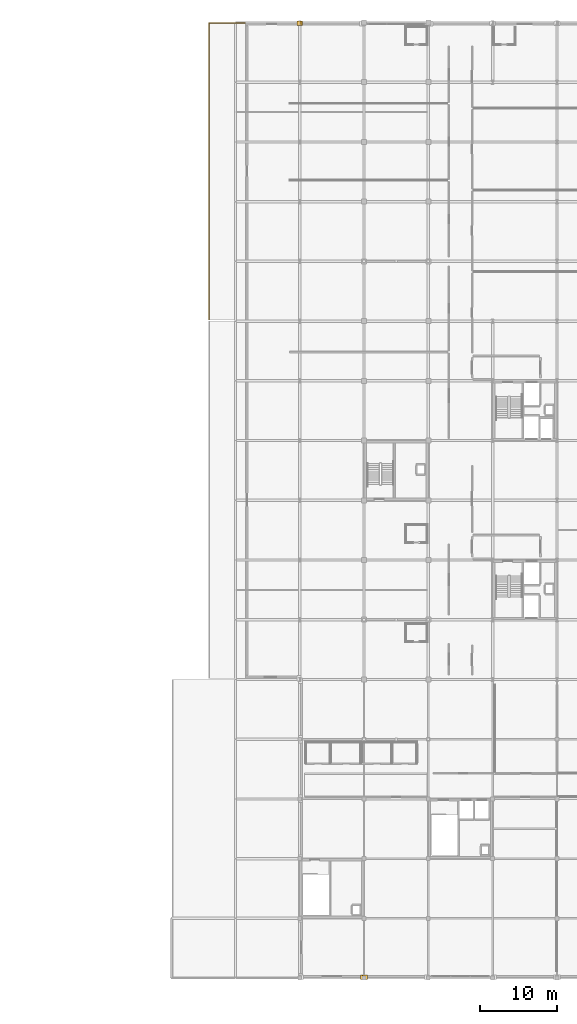
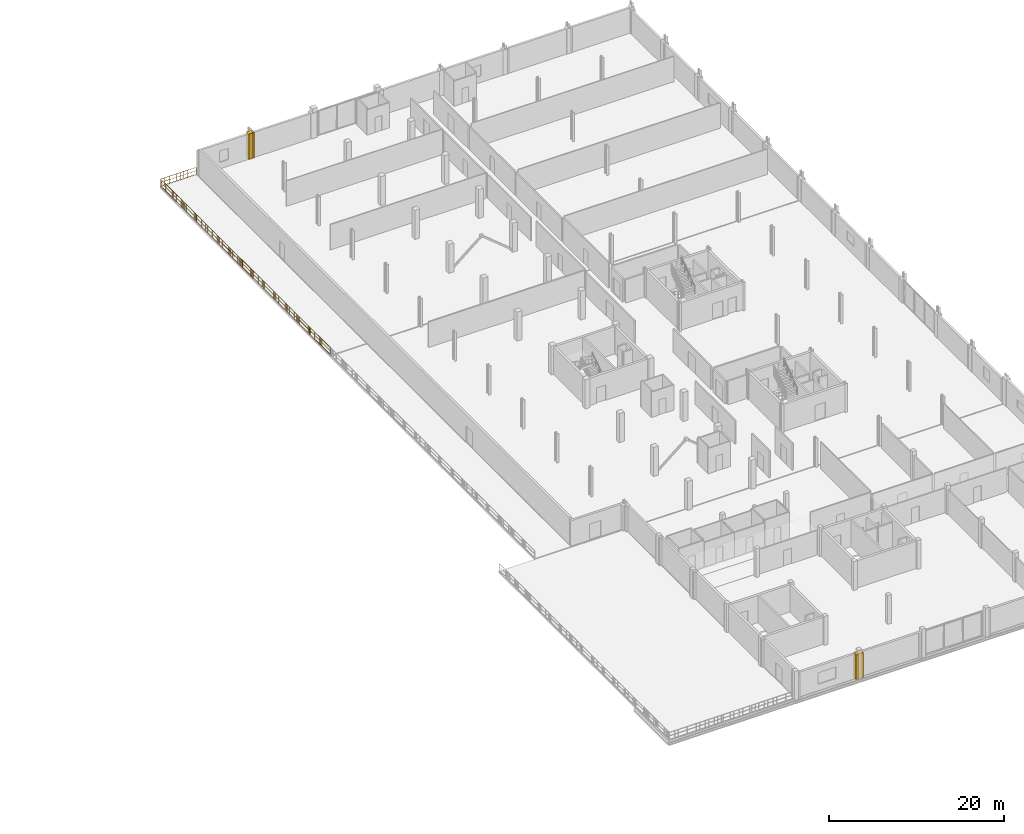
# One storey, part 37 of 41: 4 coverings, 2 railings.
"""IFC4 building model written with IfcOpenShell, lengths in metres."""

from ifc_helpers import new_model, si_unit, direction, frame, origin, origin_2d, place, context, subcontext, project, spatial, polyline, circle, outline, extrude, material, layer, layer_set, type_object, element, save


model = new_model("IFC4")

# Units and contexts
model_context = context("Model", 3, precision=1e-05, world=origin(), true_north=direction((0.0, 1.0)))
body_context = subcontext(model_context, "Body", "Model", "MODEL_VIEW")
ifc_project = project(units=[si_unit("LENGTHUNIT", "METRE"), si_unit("AREAUNIT", "SQUARE_METRE"), si_unit("VOLUMEUNIT", "CUBIC_METRE"), si_unit("PLANEANGLEUNIT", "RADIAN"), si_unit("MASSUNIT", "GRAM", prefix="KILO")], contexts=[model_context])

# Site, building, storey
site_placement = place(None, origin())
site = spatial("IfcSite", under=ifc_project, at=site_placement, CompositionType="ELEMENT")
building_placement = place(site_placement, origin())
building = spatial("IfcBuilding", under=site, at=building_placement, Name="Nabrawat Pavilion Hospital", CompositionType="ELEMENT")
storey_placement = place(building_placement, frame((0.0, 0.0, 18.89990234375)))
storey = spatial("IfcBuildingStorey", under=building, at=storey_placement, Name="L04", CompositionType="ELEMENT", Elevation=18.89990234375)

# Coverings
ifc_material_1 = material(Name="Precast concrete C40/50", Category="concrete")
ifc_layer_1 = layer(ifc_material_1, 0.360107421875, Name="Precast concrete C40/50")
ifc_layer_set_1 = layer_set([ifc_layer_1], Name="Precast concrete C40/50")
covering_type = type_object("IfcCoveringType", Name="Architectural Precast Column-Jamb Closure Reveal", PredefinedType="CLADDING", material=ifc_layer_set_1)
covering_1_placement = place(storey_placement, origin())
element("IfcCovering", 1, at=covering_1_placement, inside=storey, type_object=covering_type, Name="L04 Precast Facade Column-Jamb Weatherseal Closure 0526", PredefinedType="CLADDING", context=body_context, shape_type="SweptSolid", body=[
    extrude(outline(polyline([(142.97998046875, 124.39990234375), (142.97998046875, 124.97998046875), (142.419921875, 124.97998046875), (142.419921875, 124.39990234375), (142.97998046875, 124.39990234375)])), origin(), (0.0, 0.0, 1.0), 3.52001953125),
])
covering_2_placement = place(storey_placement, origin())
element("IfcCovering", 2, at=covering_2_placement, inside=storey, type_object=covering_type, Name="L04 Precast Facade Column-Jamb Weatherseal Closure 0527", PredefinedType="CLADDING", context=body_context, shape_type="SweptSolid", body=[
    extrude(outline(polyline([(143.179931640625, 124.39990234375), (143.179931640625, 124.97998046875), (142.6201171875, 124.97998046875), (142.6201171875, 124.39990234375), (143.179931640625, 124.39990234375)])), origin(), (0.0, 0.0, 1.0), 3.52001953125),
])
covering_3_placement = place(storey_placement, origin())
element("IfcCovering", 3, at=covering_3_placement, inside=storey, type_object=covering_type, Name="L04 Precast Facade Column-Jamb Weatherseal Closure 0546", PredefinedType="CLADDING", context=body_context, shape_type="SweptSolid", body=[
    extrude(outline(polyline([(151.3798828125, -0.179931640625), (151.3798828125, 0.39990234375), (150.719970703125, 0.39990234375), (150.719970703125, -0.179931640625), (151.3798828125, -0.179931640625)])), origin(), (0.0, 0.0, 1.0), 3.440185546875),
])
covering_4_placement = place(storey_placement, origin())
element("IfcCovering", 4, at=covering_4_placement, inside=storey, type_object=covering_type, Name="L04 Precast Facade Column-Jamb Weatherseal Closure 0547", PredefinedType="CLADDING", context=body_context, shape_type="SweptSolid", body=[
    extrude(outline(polyline([(151.679931640625, -0.179931640625), (151.679931640625, 0.39990234375), (151.02001953125, 0.39990234375), (151.02001953125, -0.179931640625), (151.679931640625, -0.179931640625)])), origin(), (0.0, 0.0, 1.0), 3.440185546875),
])

# Railings
ifc_material_2 = material(Name="Stainless Steel 316", Category="steel")
ifc_layer_2 = layer(ifc_material_2, 0.070068359375, Name="Stainless Steel 316")
ifc_layer_set_2 = layer_set([ifc_layer_2], Name="Stainless Steel 316")
railing_type = type_object("IfcRailingType", Name="Exterior Clinical Terrace Safety Guardrail 1100", PredefinedType="GUARDRAIL", material=ifc_layer_set_2)
railing_1_placement = place(storey_placement, frame((130.97998046875, 124.739990234375, 0.0)))
element("IfcRailing", 5, at=railing_1_placement, inside=storey, type_object=railing_type, Name="L04 Terrace Edge Safety Guardrail T_L04_WARD_STEP2_N North", PredefinedType="GUARDRAIL", context=body_context, shape_type="SweptSolid", body=[
    extrude(circle(Radius=0.02392578125, at=origin_2d()), frame((0.0, 0.0, 1.076171875), z_axis=(1.0, 0.0, 0.0), x_axis=(0.0, 1.0, 0.0)), (0.0, 0.0, 1.0), 4.679931640625),
    extrude(circle(Radius=0.02392578125, at=origin_2d()), frame((0.0, 0.0, 0.10009765625), z_axis=(1.0, 0.0, 0.0), x_axis=(0.0, 1.0, 0.0)), (0.0, 0.0, 1.0), 4.679931640625),
    extrude(circle(Radius=0.02392578125, at=origin_2d()), frame((0.0, 0.0, 0.60498046875), z_axis=(1.0, 0.0, 0.0), x_axis=(0.0, 1.0, 0.0)), (0.0, 0.0, 1.0), 4.679931640625),
    extrude(circle(Radius=0.008056640625, at=origin_2d()), frame((0.23388671875, 0.0, 0.10009765625)), (0.0, 0.0, 1.0), 0.951904296875),
    extrude(circle(Radius=0.008056640625, at=origin_2d()), frame((0.468017578125, 0.0, 0.10009765625)), (0.0, 0.0, 1.0), 0.951904296875),
    extrude(circle(Radius=0.008056640625, at=origin_2d()), frame((0.701904296875, 0.0, 0.10009765625)), (0.0, 0.0, 1.0), 0.951904296875),
    extrude(circle(Radius=0.008056640625, at=origin_2d()), frame((0.93603515625, 0.0, 0.10009765625)), (0.0, 0.0, 1.0), 0.951904296875),
    extrude(circle(Radius=0.008056640625, at=origin_2d()), frame((1.404052734375, 0.0, 0.10009765625)), (0.0, 0.0, 1.0), 0.951904296875),
    extrude(circle(Radius=0.008056640625, at=origin_2d()), frame((1.637939453125, 0.0, 0.10009765625)), (0.0, 0.0, 1.0), 0.951904296875),
    extrude(circle(Radius=0.008056640625, at=origin_2d()), frame((1.8720703125, 0.0, 0.10009765625)), (0.0, 0.0, 1.0), 0.951904296875),
    extrude(circle(Radius=0.008056640625, at=origin_2d()), frame((2.10595703125, 0.0, 0.10009765625)), (0.0, 0.0, 1.0), 0.951904296875),
    extrude(circle(Radius=0.008056640625, at=origin_2d()), frame((2.573974609375, 0.0, 0.10009765625)), (0.0, 0.0, 1.0), 0.951904296875),
    extrude(circle(Radius=0.008056640625, at=origin_2d()), frame((2.807861328125, 0.0, 0.10009765625)), (0.0, 0.0, 1.0), 0.951904296875),
    extrude(circle(Radius=0.008056640625, at=origin_2d()), frame((3.0419921875, 0.0, 0.10009765625)), (0.0, 0.0, 1.0), 0.951904296875),
    extrude(circle(Radius=0.008056640625, at=origin_2d()), frame((3.27587890625, 0.0, 0.10009765625)), (0.0, 0.0, 1.0), 0.951904296875),
    extrude(circle(Radius=0.008056640625, at=origin_2d()), frame((3.743896484375, 0.0, 0.10009765625)), (0.0, 0.0, 1.0), 0.951904296875),
    extrude(circle(Radius=0.008056640625, at=origin_2d()), frame((3.97802734375, 0.0, 0.10009765625)), (0.0, 0.0, 1.0), 0.951904296875),
    extrude(circle(Radius=0.008056640625, at=origin_2d()), frame((4.2119140625, 0.0, 0.10009765625)), (0.0, 0.0, 1.0), 0.951904296875),
    extrude(circle(Radius=0.008056640625, at=origin_2d()), frame((4.446044921875, 0.0, 0.10009765625)), (0.0, 0.0, 1.0), 0.951904296875),
    extrude(circle(Radius=0.02099609375, at=origin_2d()), origin(), (0.0, 0.0, 1.0), 1.052001953125),
    extrude(circle(Radius=0.02099609375, at=origin_2d()), frame((1.169921875, 0.0, 0.0)), (0.0, 0.0, 1.0), 1.052001953125),
    extrude(circle(Radius=0.02099609375, at=origin_2d()), frame((2.33984375, 0.0, 0.0)), (0.0, 0.0, 1.0), 1.052001953125),
    extrude(circle(Radius=0.02099609375, at=origin_2d()), frame((3.510009765625, 0.0, 0.0)), (0.0, 0.0, 1.0), 1.052001953125),
    extrude(circle(Radius=0.02099609375, at=origin_2d()), frame((4.679931640625, 0.0, 0.0)), (0.0, 0.0, 1.0), 1.052001953125),
])
railing_2_placement = place(storey_placement, frame((130.97998046875, 85.97998046875, 0.0)))
element("IfcRailing", 6, at=railing_2_placement, inside=storey, type_object=railing_type, Name="L04 Terrace Edge Safety Guardrail T_L04_WARD_STEP2_N West", PredefinedType="GUARDRAIL", context=body_context, shape_type="SweptSolid", body=[
    extrude(circle(Radius=0.02392578125, at=origin_2d()), frame((0.0, 0.0, 1.076171875), z_axis=(0.0, 1.0, 0.0), x_axis=(-1.0, 0.0, 0.0)), (0.0, 0.0, 1.0), 38.760009765625),
    extrude(circle(Radius=0.02392578125, at=origin_2d()), frame((0.0, 0.0, 0.10009765625), z_axis=(0.0, 1.0, 0.0), x_axis=(-1.0, 0.0, 0.0)), (0.0, 0.0, 1.0), 38.760009765625),
    extrude(circle(Radius=0.02392578125, at=origin_2d()), frame((0.0, 0.0, 0.60498046875), z_axis=(0.0, 1.0, 0.0), x_axis=(-1.0, 0.0, 0.0)), (0.0, 0.0, 1.0), 38.760009765625),
    extrude(circle(Radius=0.008056640625, at=origin_2d()), frame((0.0, 0.2392578125, 0.10009765625)), (0.0, 0.0, 1.0), 0.951904296875),
    extrude(circle(Radius=0.008056640625, at=origin_2d()), frame((0.0, 0.478515625, 0.10009765625)), (0.0, 0.0, 1.0), 0.951904296875),
    extrude(circle(Radius=0.008056640625, at=origin_2d()), frame((0.0, 0.7177734375, 0.10009765625)), (0.0, 0.0, 1.0), 0.951904296875),
    extrude(circle(Radius=0.008056640625, at=origin_2d()), frame((0.0, 0.95703125, 0.10009765625)), (0.0, 0.0, 1.0), 0.951904296875),
    extrude(circle(Radius=0.008056640625, at=origin_2d()), frame((0.0, 1.435546875, 0.10009765625)), (0.0, 0.0, 1.0), 0.951904296875),
    extrude(circle(Radius=0.008056640625, at=origin_2d()), frame((0.0, 1.6748046875, 0.10009765625)), (0.0, 0.0, 1.0), 0.951904296875),
    extrude(circle(Radius=0.008056640625, at=origin_2d()), frame((0.0, 1.9140625, 0.10009765625)), (0.0, 0.0, 1.0), 0.951904296875),
    extrude(circle(Radius=0.008056640625, at=origin_2d()), frame((0.0, 2.1533203125, 0.10009765625)), (0.0, 0.0, 1.0), 0.951904296875),
    extrude(circle(Radius=0.008056640625, at=origin_2d()), frame((0.0, 2.6318359375, 0.10009765625)), (0.0, 0.0, 1.0), 0.951904296875),
    extrude(circle(Radius=0.008056640625, at=origin_2d()), frame((0.0, 2.87109375, 0.10009765625)), (0.0, 0.0, 1.0), 0.951904296875),
    extrude(circle(Radius=0.008056640625, at=origin_2d()), frame((0.0, 3.1103515625, 0.10009765625)), (0.0, 0.0, 1.0), 0.951904296875),
    extrude(circle(Radius=0.008056640625, at=origin_2d()), frame((0.0, 3.349609375, 0.10009765625)), (0.0, 0.0, 1.0), 0.951904296875),
    extrude(circle(Radius=0.008056640625, at=origin_2d()), frame((0.0, 3.5888671875, 0.10009765625)), (0.0, 0.0, 1.0), 0.951904296875),
    extrude(circle(Radius=0.008056640625, at=origin_2d()), frame((0.0, 3.828125, 0.10009765625)), (0.0, 0.0, 1.0), 0.951904296875),
    extrude(circle(Radius=0.008056640625, at=origin_2d()), frame((0.0, 4.0673828125, 0.10009765625)), (0.0, 0.0, 1.0), 0.951904296875),
    extrude(circle(Radius=0.008056640625, at=origin_2d()), frame((0.0, 4.306640625, 0.10009765625)), (0.0, 0.0, 1.0), 0.951904296875),
    extrude(circle(Radius=0.008056640625, at=origin_2d()), frame((0.0, 4.5458984375, 0.10009765625)), (0.0, 0.0, 1.0), 0.951904296875),
    extrude(circle(Radius=0.008056640625, at=origin_2d()), frame((0.0, 4.78515625, 0.10009765625)), (0.0, 0.0, 1.0), 0.951904296875),
    extrude(circle(Radius=0.008056640625, at=origin_2d()), frame((0.0, 5.0244140625, 0.10009765625)), (0.0, 0.0, 1.0), 0.951904296875),
    extrude(circle(Radius=0.008056640625, at=origin_2d()), frame((0.0, 5.263671875, 0.10009765625)), (0.0, 0.0, 1.0), 0.951904296875),
    extrude(circle(Radius=0.008056640625, at=origin_2d()), frame((0.0, 5.5029296875, 0.10009765625)), (0.0, 0.0, 1.0), 0.951904296875),
    extrude(circle(Radius=0.008056640625, at=origin_2d()), frame((0.0, 5.7421875, 0.10009765625)), (0.0, 0.0, 1.0), 0.951904296875),
    extrude(circle(Radius=0.008056640625, at=origin_2d()), frame((0.0, 5.9814453125, 0.10009765625)), (0.0, 0.0, 1.0), 0.951904296875),
    extrude(circle(Radius=0.008056640625, at=origin_2d()), frame((0.0, 6.220703125, 0.10009765625)), (0.0, 0.0, 1.0), 0.951904296875),
    extrude(circle(Radius=0.008056640625, at=origin_2d()), frame((0.0, 6.4599609375, 0.10009765625)), (0.0, 0.0, 1.0), 0.951904296875),
    extrude(circle(Radius=0.008056640625, at=origin_2d()), frame((0.0, 6.69921875, 0.10009765625)), (0.0, 0.0, 1.0), 0.951904296875),
    extrude(circle(Radius=0.008056640625, at=origin_2d()), frame((0.0, 6.9384765625, 0.10009765625)), (0.0, 0.0, 1.0), 0.951904296875),
    extrude(circle(Radius=0.008056640625, at=origin_2d()), frame((0.0, 7.177734375, 0.10009765625)), (0.0, 0.0, 1.0), 0.951904296875),
    extrude(circle(Radius=0.008056640625, at=origin_2d()), frame((0.0, 7.4169921875, 0.10009765625)), (0.0, 0.0, 1.0), 0.951904296875),
    extrude(circle(Radius=0.008056640625, at=origin_2d()), frame((0.0, 7.65625, 0.10009765625)), (0.0, 0.0, 1.0), 0.951904296875),
    extrude(circle(Radius=0.008056640625, at=origin_2d()), frame((0.0, 7.8955078125, 0.10009765625)), (0.0, 0.0, 1.0), 0.951904296875),
    extrude(circle(Radius=0.008056640625, at=origin_2d()), frame((0.0, 8.134765625, 0.10009765625)), (0.0, 0.0, 1.0), 0.951904296875),
    extrude(circle(Radius=0.008056640625, at=origin_2d()), frame((0.0, 8.3740234375, 0.10009765625)), (0.0, 0.0, 1.0), 0.951904296875),
    extrude(circle(Radius=0.008056640625, at=origin_2d()), frame((0.0, 8.61328125, 0.10009765625)), (0.0, 0.0, 1.0), 0.951904296875),
    extrude(circle(Radius=0.008056640625, at=origin_2d()), frame((0.0, 8.8525390625, 0.10009765625)), (0.0, 0.0, 1.0), 0.951904296875),
    extrude(circle(Radius=0.008056640625, at=origin_2d()), frame((0.0, 9.091796875, 0.10009765625)), (0.0, 0.0, 1.0), 0.951904296875),
    extrude(circle(Radius=0.008056640625, at=origin_2d()), frame((0.0, 9.3310546875, 0.10009765625)), (0.0, 0.0, 1.0), 0.951904296875),
    extrude(circle(Radius=0.008056640625, at=origin_2d()), frame((0.0, 9.5703125, 0.10009765625)), (0.0, 0.0, 1.0), 0.951904296875),
    extrude(circle(Radius=0.008056640625, at=origin_2d()), frame((0.0, 9.8095703125, 0.10009765625)), (0.0, 0.0, 1.0), 0.951904296875),
    extrude(circle(Radius=0.008056640625, at=origin_2d()), frame((0.0, 10.048828125, 0.10009765625)), (0.0, 0.0, 1.0), 0.951904296875),
    extrude(circle(Radius=0.008056640625, at=origin_2d()), frame((0.0, 10.2880859375, 0.10009765625)), (0.0, 0.0, 1.0), 0.951904296875),
    extrude(circle(Radius=0.008056640625, at=origin_2d()), frame((0.0, 10.7666015625, 0.10009765625)), (0.0, 0.0, 1.0), 0.951904296875),
    extrude(circle(Radius=0.008056640625, at=origin_2d()), frame((0.0, 11.005859375, 0.10009765625)), (0.0, 0.0, 1.0), 0.951904296875),
    extrude(circle(Radius=0.008056640625, at=origin_2d()), frame((0.0, 11.2451171875, 0.10009765625)), (0.0, 0.0, 1.0), 0.951904296875),
    extrude(circle(Radius=0.008056640625, at=origin_2d()), frame((0.0, 11.484375, 0.10009765625)), (0.0, 0.0, 1.0), 0.951904296875),
    extrude(circle(Radius=0.008056640625, at=origin_2d()), frame((0.0, 11.962890625, 0.10009765625)), (0.0, 0.0, 1.0), 0.951904296875),
    extrude(circle(Radius=0.008056640625, at=origin_2d()), frame((0.0, 12.2021484375, 0.10009765625)), (0.0, 0.0, 1.0), 0.951904296875),
    extrude(circle(Radius=0.008056640625, at=origin_2d()), frame((0.0, 12.44140625, 0.10009765625)), (0.0, 0.0, 1.0), 0.951904296875),
    extrude(circle(Radius=0.008056640625, at=origin_2d()), frame((0.0, 12.6806640625, 0.10009765625)), (0.0, 0.0, 1.0), 0.951904296875),
    extrude(circle(Radius=0.008056640625, at=origin_2d()), frame((0.0, 13.1591796875, 0.10009765625)), (0.0, 0.0, 1.0), 0.951904296875),
    extrude(circle(Radius=0.008056640625, at=origin_2d()), frame((0.0, 13.3984375, 0.10009765625)), (0.0, 0.0, 1.0), 0.951904296875),
    extrude(circle(Radius=0.008056640625, at=origin_2d()), frame((0.0, 13.6376953125, 0.10009765625)), (0.0, 0.0, 1.0), 0.951904296875),
    extrude(circle(Radius=0.008056640625, at=origin_2d()), frame((0.0, 13.876953125, 0.10009765625)), (0.0, 0.0, 1.0), 0.951904296875),
    extrude(circle(Radius=0.008056640625, at=origin_2d()), frame((0.0, 14.35546875, 0.10009765625)), (0.0, 0.0, 1.0), 0.951904296875),
    extrude(circle(Radius=0.008056640625, at=origin_2d()), frame((0.0, 14.5947265625, 0.10009765625)), (0.0, 0.0, 1.0), 0.951904296875),
    extrude(circle(Radius=0.008056640625, at=origin_2d()), frame((0.0, 14.833984375, 0.10009765625)), (0.0, 0.0, 1.0), 0.951904296875),
    extrude(circle(Radius=0.008056640625, at=origin_2d()), frame((0.0, 15.0732421875, 0.10009765625)), (0.0, 0.0, 1.0), 0.951904296875),
    extrude(circle(Radius=0.008056640625, at=origin_2d()), frame((0.0, 15.5517578125, 0.10009765625)), (0.0, 0.0, 1.0), 0.951904296875),
    extrude(circle(Radius=0.008056640625, at=origin_2d()), frame((0.0, 15.791015625, 0.10009765625)), (0.0, 0.0, 1.0), 0.951904296875),
    extrude(circle(Radius=0.008056640625, at=origin_2d()), frame((0.0, 16.0302734375, 0.10009765625)), (0.0, 0.0, 1.0), 0.951904296875),
    extrude(circle(Radius=0.008056640625, at=origin_2d()), frame((0.0, 16.26953125, 0.10009765625)), (0.0, 0.0, 1.0), 0.951904296875),
    extrude(circle(Radius=0.008056640625, at=origin_2d()), frame((0.0, 16.5087890625, 0.10009765625)), (0.0, 0.0, 1.0), 0.951904296875),
    extrude(circle(Radius=0.008056640625, at=origin_2d()), frame((0.0, 16.748046875, 0.10009765625)), (0.0, 0.0, 1.0), 0.951904296875),
    extrude(circle(Radius=0.008056640625, at=origin_2d()), frame((0.0, 16.9873046875, 0.10009765625)), (0.0, 0.0, 1.0), 0.951904296875),
    extrude(circle(Radius=0.008056640625, at=origin_2d()), frame((0.0, 17.2265625, 0.10009765625)), (0.0, 0.0, 1.0), 0.951904296875),
    extrude(circle(Radius=0.008056640625, at=origin_2d()), frame((0.0, 17.4658203125, 0.10009765625)), (0.0, 0.0, 1.0), 0.951904296875),
    extrude(circle(Radius=0.008056640625, at=origin_2d()), frame((0.0, 17.705078125, 0.10009765625)), (0.0, 0.0, 1.0), 0.951904296875),
    extrude(circle(Radius=0.008056640625, at=origin_2d()), frame((0.0, 17.9443359375, 0.10009765625)), (0.0, 0.0, 1.0), 0.951904296875),
    extrude(circle(Radius=0.008056640625, at=origin_2d()), frame((0.0, 18.18359375, 0.10009765625)), (0.0, 0.0, 1.0), 0.951904296875),
    extrude(circle(Radius=0.008056640625, at=origin_2d()), frame((0.0, 18.4228515625, 0.10009765625)), (0.0, 0.0, 1.0), 0.951904296875),
    extrude(circle(Radius=0.008056640625, at=origin_2d()), frame((0.0, 18.662109375, 0.10009765625)), (0.0, 0.0, 1.0), 0.951904296875),
    extrude(circle(Radius=0.008056640625, at=origin_2d()), frame((0.0, 18.9013671875, 0.10009765625)), (0.0, 0.0, 1.0), 0.951904296875),
    extrude(circle(Radius=0.008056640625, at=origin_2d()), frame((0.0, 19.140625, 0.10009765625)), (0.0, 0.0, 1.0), 0.951904296875),
    extrude(circle(Radius=0.008056640625, at=origin_2d()), frame((0.0, 19.3798828125, 0.10009765625)), (0.0, 0.0, 1.0), 0.951904296875),
    extrude(circle(Radius=0.008056640625, at=origin_2d()), frame((0.0, 19.619384765625, 0.10009765625)), (0.0, 0.0, 1.0), 0.951904296875),
    extrude(circle(Radius=0.008056640625, at=origin_2d()), frame((0.0, 19.858642578125, 0.10009765625)), (0.0, 0.0, 1.0), 0.951904296875),
    extrude(circle(Radius=0.008056640625, at=origin_2d()), frame((0.0, 20.097900390625, 0.10009765625)), (0.0, 0.0, 1.0), 0.951904296875),
    extrude(circle(Radius=0.008056640625, at=origin_2d()), frame((0.0, 20.337158203125, 0.10009765625)), (0.0, 0.0, 1.0), 0.951904296875),
    extrude(circle(Radius=0.008056640625, at=origin_2d()), frame((0.0, 20.576416015625, 0.10009765625)), (0.0, 0.0, 1.0), 0.951904296875),
    extrude(circle(Radius=0.008056640625, at=origin_2d()), frame((0.0, 20.815673828125, 0.10009765625)), (0.0, 0.0, 1.0), 0.951904296875),
    extrude(circle(Radius=0.008056640625, at=origin_2d()), frame((0.0, 21.054931640625, 0.10009765625)), (0.0, 0.0, 1.0), 0.951904296875),
    extrude(circle(Radius=0.008056640625, at=origin_2d()), frame((0.0, 21.294189453125, 0.10009765625)), (0.0, 0.0, 1.0), 0.951904296875),
    extrude(circle(Radius=0.008056640625, at=origin_2d()), frame((0.0, 21.533447265625, 0.10009765625)), (0.0, 0.0, 1.0), 0.951904296875),
    extrude(circle(Radius=0.008056640625, at=origin_2d()), frame((0.0, 21.772705078125, 0.10009765625)), (0.0, 0.0, 1.0), 0.951904296875),
    extrude(circle(Radius=0.008056640625, at=origin_2d()), frame((0.0, 22.011962890625, 0.10009765625)), (0.0, 0.0, 1.0), 0.951904296875),
    extrude(circle(Radius=0.008056640625, at=origin_2d()), frame((0.0, 22.251220703125, 0.10009765625)), (0.0, 0.0, 1.0), 0.951904296875),
    extrude(circle(Radius=0.008056640625, at=origin_2d()), frame((0.0, 22.490478515625, 0.10009765625)), (0.0, 0.0, 1.0), 0.951904296875),
    extrude(circle(Radius=0.008056640625, at=origin_2d()), frame((0.0, 22.729736328125, 0.10009765625)), (0.0, 0.0, 1.0), 0.951904296875),
    extrude(circle(Radius=0.008056640625, at=origin_2d()), frame((0.0, 22.968994140625, 0.10009765625)), (0.0, 0.0, 1.0), 0.951904296875),
    extrude(circle(Radius=0.008056640625, at=origin_2d()), frame((0.0, 23.208251953125, 0.10009765625)), (0.0, 0.0, 1.0), 0.951904296875),
    extrude(circle(Radius=0.008056640625, at=origin_2d()), frame((0.0, 23.686767578125, 0.10009765625)), (0.0, 0.0, 1.0), 0.951904296875),
    extrude(circle(Radius=0.008056640625, at=origin_2d()), frame((0.0, 23.926025390625, 0.10009765625)), (0.0, 0.0, 1.0), 0.951904296875),
    extrude(circle(Radius=0.008056640625, at=origin_2d()), frame((0.0, 24.165283203125, 0.10009765625)), (0.0, 0.0, 1.0), 0.951904296875),
    extrude(circle(Radius=0.008056640625, at=origin_2d()), frame((0.0, 24.404541015625, 0.10009765625)), (0.0, 0.0, 1.0), 0.951904296875),
    extrude(circle(Radius=0.008056640625, at=origin_2d()), frame((0.0, 24.883056640625, 0.10009765625)), (0.0, 0.0, 1.0), 0.951904296875),
    extrude(circle(Radius=0.008056640625, at=origin_2d()), frame((0.0, 25.122314453125, 0.10009765625)), (0.0, 0.0, 1.0), 0.951904296875),
    extrude(circle(Radius=0.008056640625, at=origin_2d()), frame((0.0, 25.361572265625, 0.10009765625)), (0.0, 0.0, 1.0), 0.951904296875),
    extrude(circle(Radius=0.008056640625, at=origin_2d()), frame((0.0, 25.600830078125, 0.10009765625)), (0.0, 0.0, 1.0), 0.951904296875),
    extrude(circle(Radius=0.008056640625, at=origin_2d()), frame((0.0, 26.079345703125, 0.10009765625)), (0.0, 0.0, 1.0), 0.951904296875),
    extrude(circle(Radius=0.008056640625, at=origin_2d()), frame((0.0, 26.318603515625, 0.10009765625)), (0.0, 0.0, 1.0), 0.951904296875),
    extrude(circle(Radius=0.008056640625, at=origin_2d()), frame((0.0, 26.557861328125, 0.10009765625)), (0.0, 0.0, 1.0), 0.951904296875),
    extrude(circle(Radius=0.008056640625, at=origin_2d()), frame((0.0, 26.797119140625, 0.10009765625)), (0.0, 0.0, 1.0), 0.951904296875),
    extrude(circle(Radius=0.008056640625, at=origin_2d()), frame((0.0, 27.275634765625, 0.10009765625)), (0.0, 0.0, 1.0), 0.951904296875),
    extrude(circle(Radius=0.008056640625, at=origin_2d()), frame((0.0, 27.514892578125, 0.10009765625)), (0.0, 0.0, 1.0), 0.951904296875),
    extrude(circle(Radius=0.008056640625, at=origin_2d()), frame((0.0, 27.754150390625, 0.10009765625)), (0.0, 0.0, 1.0), 0.951904296875),
    extrude(circle(Radius=0.008056640625, at=origin_2d()), frame((0.0, 27.993408203125, 0.10009765625)), (0.0, 0.0, 1.0), 0.951904296875),
    extrude(circle(Radius=0.008056640625, at=origin_2d()), frame((0.0, 28.471923828125, 0.10009765625)), (0.0, 0.0, 1.0), 0.951904296875),
    extrude(circle(Radius=0.008056640625, at=origin_2d()), frame((0.0, 28.711181640625, 0.10009765625)), (0.0, 0.0, 1.0), 0.951904296875),
    extrude(circle(Radius=0.008056640625, at=origin_2d()), frame((0.0, 28.950439453125, 0.10009765625)), (0.0, 0.0, 1.0), 0.951904296875),
    extrude(circle(Radius=0.008056640625, at=origin_2d()), frame((0.0, 29.189697265625, 0.10009765625)), (0.0, 0.0, 1.0), 0.951904296875),
    extrude(circle(Radius=0.008056640625, at=origin_2d()), frame((0.0, 29.428955078125, 0.10009765625)), (0.0, 0.0, 1.0), 0.951904296875),
    extrude(circle(Radius=0.008056640625, at=origin_2d()), frame((0.0, 29.668212890625, 0.10009765625)), (0.0, 0.0, 1.0), 0.951904296875),
    extrude(circle(Radius=0.008056640625, at=origin_2d()), frame((0.0, 29.907470703125, 0.10009765625)), (0.0, 0.0, 1.0), 0.951904296875),
    extrude(circle(Radius=0.008056640625, at=origin_2d()), frame((0.0, 30.146728515625, 0.10009765625)), (0.0, 0.0, 1.0), 0.951904296875),
    extrude(circle(Radius=0.008056640625, at=origin_2d()), frame((0.0, 30.385986328125, 0.10009765625)), (0.0, 0.0, 1.0), 0.951904296875),
    extrude(circle(Radius=0.008056640625, at=origin_2d()), frame((0.0, 30.625244140625, 0.10009765625)), (0.0, 0.0, 1.0), 0.951904296875),
    extrude(circle(Radius=0.008056640625, at=origin_2d()), frame((0.0, 30.864501953125, 0.10009765625)), (0.0, 0.0, 1.0), 0.951904296875),
    extrude(circle(Radius=0.008056640625, at=origin_2d()), frame((0.0, 31.103759765625, 0.10009765625)), (0.0, 0.0, 1.0), 0.951904296875),
    extrude(circle(Radius=0.008056640625, at=origin_2d()), frame((0.0, 31.343017578125, 0.10009765625)), (0.0, 0.0, 1.0), 0.951904296875),
    extrude(circle(Radius=0.008056640625, at=origin_2d()), frame((0.0, 31.582275390625, 0.10009765625)), (0.0, 0.0, 1.0), 0.951904296875),
    extrude(circle(Radius=0.008056640625, at=origin_2d()), frame((0.0, 31.821533203125, 0.10009765625)), (0.0, 0.0, 1.0), 0.951904296875),
    extrude(circle(Radius=0.008056640625, at=origin_2d()), frame((0.0, 32.060791015625, 0.10009765625)), (0.0, 0.0, 1.0), 0.951904296875),
    extrude(circle(Radius=0.008056640625, at=origin_2d()), frame((0.0, 32.300048828125, 0.10009765625)), (0.0, 0.0, 1.0), 0.951904296875),
    extrude(circle(Radius=0.008056640625, at=origin_2d()), frame((0.0, 32.539306640625, 0.10009765625)), (0.0, 0.0, 1.0), 0.951904296875),
    extrude(circle(Radius=0.008056640625, at=origin_2d()), frame((0.0, 32.778564453125, 0.10009765625)), (0.0, 0.0, 1.0), 0.951904296875),
    extrude(circle(Radius=0.008056640625, at=origin_2d()), frame((0.0, 33.017822265625, 0.10009765625)), (0.0, 0.0, 1.0), 0.951904296875),
    extrude(circle(Radius=0.008056640625, at=origin_2d()), frame((0.0, 33.257080078125, 0.10009765625)), (0.0, 0.0, 1.0), 0.951904296875),
    extrude(circle(Radius=0.008056640625, at=origin_2d()), frame((0.0, 33.496337890625, 0.10009765625)), (0.0, 0.0, 1.0), 0.951904296875),
    extrude(circle(Radius=0.008056640625, at=origin_2d()), frame((0.0, 33.735595703125, 0.10009765625)), (0.0, 0.0, 1.0), 0.951904296875),
    extrude(circle(Radius=0.008056640625, at=origin_2d()), frame((0.0, 33.974853515625, 0.10009765625)), (0.0, 0.0, 1.0), 0.951904296875),
    extrude(circle(Radius=0.008056640625, at=origin_2d()), frame((0.0, 34.214111328125, 0.10009765625)), (0.0, 0.0, 1.0), 0.951904296875),
    extrude(circle(Radius=0.008056640625, at=origin_2d()), frame((0.0, 34.453369140625, 0.10009765625)), (0.0, 0.0, 1.0), 0.951904296875),
    extrude(circle(Radius=0.008056640625, at=origin_2d()), frame((0.0, 34.692626953125, 0.10009765625)), (0.0, 0.0, 1.0), 0.951904296875),
    extrude(circle(Radius=0.008056640625, at=origin_2d()), frame((0.0, 34.931884765625, 0.10009765625)), (0.0, 0.0, 1.0), 0.951904296875),
    extrude(circle(Radius=0.008056640625, at=origin_2d()), frame((0.0, 35.171142578125, 0.10009765625)), (0.0, 0.0, 1.0), 0.951904296875),
    extrude(circle(Radius=0.008056640625, at=origin_2d()), frame((0.0, 35.410400390625, 0.10009765625)), (0.0, 0.0, 1.0), 0.951904296875),
    extrude(circle(Radius=0.008056640625, at=origin_2d()), frame((0.0, 35.649658203125, 0.10009765625)), (0.0, 0.0, 1.0), 0.951904296875),
    extrude(circle(Radius=0.008056640625, at=origin_2d()), frame((0.0, 35.888916015625, 0.10009765625)), (0.0, 0.0, 1.0), 0.951904296875),
    extrude(circle(Radius=0.008056640625, at=origin_2d()), frame((0.0, 36.128173828125, 0.10009765625)), (0.0, 0.0, 1.0), 0.951904296875),
    extrude(circle(Radius=0.008056640625, at=origin_2d()), frame((0.0, 36.606689453125, 0.10009765625)), (0.0, 0.0, 1.0), 0.951904296875),
    extrude(circle(Radius=0.008056640625, at=origin_2d()), frame((0.0, 36.845947265625, 0.10009765625)), (0.0, 0.0, 1.0), 0.951904296875),
    extrude(circle(Radius=0.008056640625, at=origin_2d()), frame((0.0, 37.085205078125, 0.10009765625)), (0.0, 0.0, 1.0), 0.951904296875),
    extrude(circle(Radius=0.008056640625, at=origin_2d()), frame((0.0, 37.324462890625, 0.10009765625)), (0.0, 0.0, 1.0), 0.951904296875),
    extrude(circle(Radius=0.008056640625, at=origin_2d()), frame((0.0, 37.802978515625, 0.10009765625)), (0.0, 0.0, 1.0), 0.951904296875),
    extrude(circle(Radius=0.008056640625, at=origin_2d()), frame((0.0, 38.042236328125, 0.10009765625)), (0.0, 0.0, 1.0), 0.951904296875),
    extrude(circle(Radius=0.008056640625, at=origin_2d()), frame((0.0, 38.281494140625, 0.10009765625)), (0.0, 0.0, 1.0), 0.951904296875),
    extrude(circle(Radius=0.008056640625, at=origin_2d()), frame((0.0, 38.520751953125, 0.10009765625)), (0.0, 0.0, 1.0), 0.951904296875),
    extrude(circle(Radius=0.02099609375, at=origin_2d()), origin(), (0.0, 0.0, 1.0), 1.052001953125),
    extrude(circle(Radius=0.02099609375, at=origin_2d()), frame((0.0, 1.174560546875, 0.0)), (0.0, 0.0, 1.0), 1.052001953125),
    extrude(circle(Radius=0.02099609375, at=origin_2d()), frame((0.0, 2.34912109375, 0.0)), (0.0, 0.0, 1.0), 1.052001953125),
    extrude(circle(Radius=0.02099609375, at=origin_2d()), frame((0.0, 3.523681640625, 0.0)), (0.0, 0.0, 1.0), 1.052001953125),
    extrude(circle(Radius=0.02099609375, at=origin_2d()), frame((0.0, 4.6982421875, 0.0)), (0.0, 0.0, 1.0), 1.052001953125),
    extrude(circle(Radius=0.02099609375, at=origin_2d()), frame((0.0, 5.872802734375, 0.0)), (0.0, 0.0, 1.0), 1.052001953125),
    extrude(circle(Radius=0.02099609375, at=origin_2d()), frame((0.0, 7.04736328125, 0.0)), (0.0, 0.0, 1.0), 1.052001953125),
    extrude(circle(Radius=0.02099609375, at=origin_2d()), frame((0.0, 8.221923828125, 0.0)), (0.0, 0.0, 1.0), 1.052001953125),
    extrude(circle(Radius=0.02099609375, at=origin_2d()), frame((0.0, 9.396484375, 0.0)), (0.0, 0.0, 1.0), 1.052001953125),
    extrude(circle(Radius=0.02099609375, at=origin_2d()), frame((0.0, 10.57080078125, 0.0)), (0.0, 0.0, 1.0), 1.052001953125),
    extrude(circle(Radius=0.02099609375, at=origin_2d()), frame((0.0, 11.745361328125, 0.0)), (0.0, 0.0, 1.0), 1.052001953125),
    extrude(circle(Radius=0.02099609375, at=origin_2d()), frame((0.0, 12.919921875, 0.0)), (0.0, 0.0, 1.0), 1.052001953125),
    extrude(circle(Radius=0.02099609375, at=origin_2d()), frame((0.0, 14.094482421875, 0.0)), (0.0, 0.0, 1.0), 1.052001953125),
    extrude(circle(Radius=0.02099609375, at=origin_2d()), frame((0.0, 15.26904296875, 0.0)), (0.0, 0.0, 1.0), 1.052001953125),
    extrude(circle(Radius=0.02099609375, at=origin_2d()), frame((0.0, 16.443603515625, 0.0)), (0.0, 0.0, 1.0), 1.052001953125),
    extrude(circle(Radius=0.02099609375, at=origin_2d()), frame((0.0, 17.6181640625, 0.0)), (0.0, 0.0, 1.0), 1.052001953125),
    extrude(circle(Radius=0.02099609375, at=origin_2d()), frame((0.0, 18.792724609375, 0.0)), (0.0, 0.0, 1.0), 1.052001953125),
    extrude(circle(Radius=0.02099609375, at=origin_2d()), frame((0.0, 19.96728515625, 0.0)), (0.0, 0.0, 1.0), 1.052001953125),
    extrude(circle(Radius=0.02099609375, at=origin_2d()), frame((0.0, 21.141845703125, 0.0)), (0.0, 0.0, 1.0), 1.052001953125),
    extrude(circle(Radius=0.02099609375, at=origin_2d()), frame((0.0, 22.31640625, 0.0)), (0.0, 0.0, 1.0), 1.052001953125),
    extrude(circle(Radius=0.02099609375, at=origin_2d()), frame((0.0, 23.490966796875, 0.0)), (0.0, 0.0, 1.0), 1.052001953125),
    extrude(circle(Radius=0.02099609375, at=origin_2d()), frame((0.0, 24.66552734375, 0.0)), (0.0, 0.0, 1.0), 1.052001953125),
    extrude(circle(Radius=0.02099609375, at=origin_2d()), frame((0.0, 25.840087890625, 0.0)), (0.0, 0.0, 1.0), 1.052001953125),
    extrude(circle(Radius=0.02099609375, at=origin_2d()), frame((0.0, 27.0146484375, 0.0)), (0.0, 0.0, 1.0), 1.052001953125),
    extrude(circle(Radius=0.02099609375, at=origin_2d()), frame((0.0, 28.189208984375, 0.0)), (0.0, 0.0, 1.0), 1.052001953125),
    extrude(circle(Radius=0.02099609375, at=origin_2d()), frame((0.0, 29.363525390625, 0.0)), (0.0, 0.0, 1.0), 1.052001953125),
    extrude(circle(Radius=0.02099609375, at=origin_2d()), frame((0.0, 30.5380859375, 0.0)), (0.0, 0.0, 1.0), 1.052001953125),
    extrude(circle(Radius=0.02099609375, at=origin_2d()), frame((0.0, 31.712646484375, 0.0)), (0.0, 0.0, 1.0), 1.052001953125),
    extrude(circle(Radius=0.02099609375, at=origin_2d()), frame((0.0, 32.88720703125, 0.0)), (0.0, 0.0, 1.0), 1.052001953125),
    extrude(circle(Radius=0.02099609375, at=origin_2d()), frame((0.0, 34.061767578125, 0.0)), (0.0, 0.0, 1.0), 1.052001953125),
    extrude(circle(Radius=0.02099609375, at=origin_2d()), frame((0.0, 35.236328125, 0.0)), (0.0, 0.0, 1.0), 1.052001953125),
    extrude(circle(Radius=0.02099609375, at=origin_2d()), frame((0.0, 36.410888671875, 0.0)), (0.0, 0.0, 1.0), 1.052001953125),
    extrude(circle(Radius=0.02099609375, at=origin_2d()), frame((0.0, 37.58544921875, 0.0)), (0.0, 0.0, 1.0), 1.052001953125),
    extrude(circle(Radius=0.02099609375, at=origin_2d()), frame((0.0, 38.760009765625, 0.0)), (0.0, 0.0, 1.0), 1.052001953125),
])

save(model, "model.ifc")
